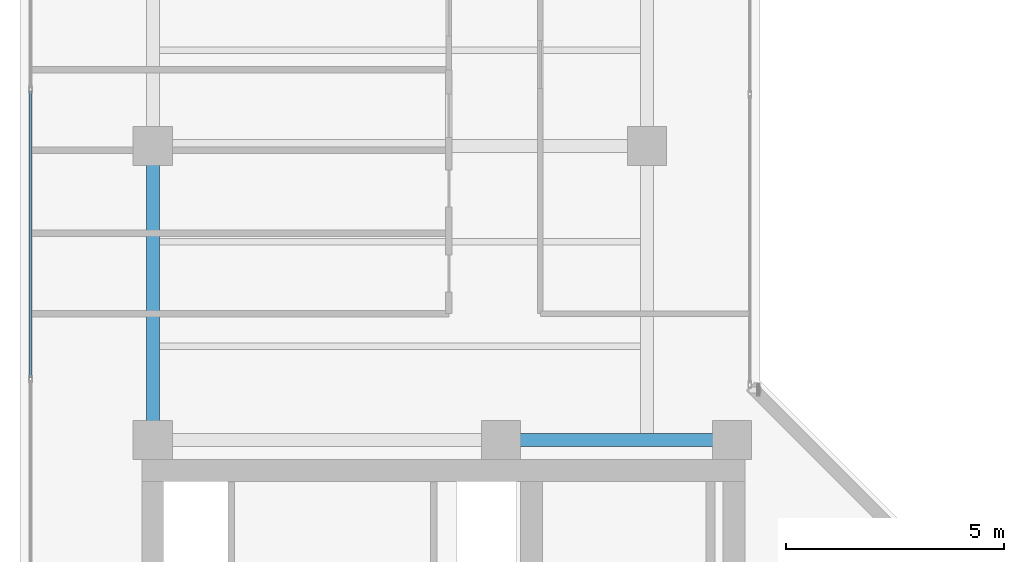
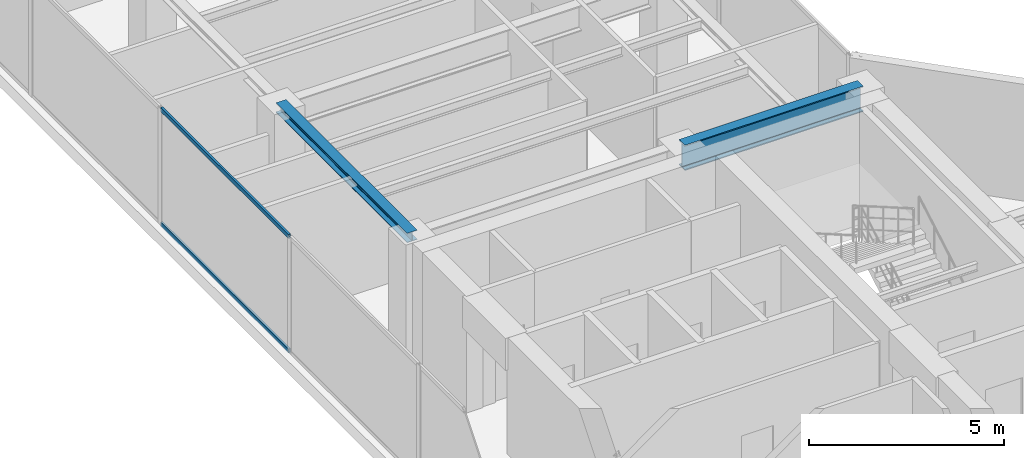
# One storey, part 10 of 31: 2 beams, 2 members, 1 element without a shape of its own.
"""IFC4 building model written with IfcOpenShell, lengths in metres."""

from ifc_helpers import new_model, si_unit, direction, frame, origin, origin_with_axes, origin_2d, place, context, subcontext, project, spatial, hollow_rectangle, i_section, extrude, source, transform, mapped, material, layer, layer_set, material_profile, profile_set, type_object, element, aggregate, save


model = new_model("IFC4")

# Units and contexts
model_context = context("Model", 3, precision=1e-05, world=origin(), true_north=direction((0.0, 1.0)))
body_context = subcontext(model_context, "Body", "Model", "MODEL_VIEW")
ifc_project = project(units=[si_unit("LENGTHUNIT", "METRE"), si_unit("AREAUNIT", "SQUARE_METRE"), si_unit("VOLUMEUNIT", "CUBIC_METRE"), si_unit("PLANEANGLEUNIT", "RADIAN"), si_unit("MASSUNIT", "GRAM", prefix="KILO")], contexts=[model_context])

# Site, building, storey
site_placement = place(None, origin())
site = spatial("IfcSite", under=ifc_project, at=site_placement, CompositionType="ELEMENT")
building_placement = place(site_placement, origin())
building = spatial("IfcBuilding", under=site, at=building_placement, Name="Kolvaren Waterfront Exchange", CompositionType="ELEMENT")
storey_placement = place(building_placement, frame((0.0, 0.0, 344.199951171875)))
storey = spatial("IfcBuildingStorey", under=building, at=storey_placement, Name="L88", CompositionType="ELEMENT", Elevation=344.199951171875)

# Beams
ifc_material_1 = material(Name="Steel S355", Category="steel")
ifc_material_profile_1 = material_profile(ifc_material_1, i_section(OverallWidth=0.300048828125, OverallDepth=0.300048828125, WebThickness=0.010986328125, FlangeThickness=0.01904296875, FilletRadius=0.027099609375, at=origin_2d()), Name="HEB300")
ifc_profile_set_1 = profile_set([ifc_material_profile_1], Name="Steel S355")
beam_type_1 = type_object("IfcBeamType", Name="STR-BM-HEB300", PredefinedType="SPANDREL", material=ifc_profile_set_1)
beam_1_placement = place(storey_placement, frame((7.449951171875, 24.449951171875, 3.510009765625), z_axis=(0.0, 1.0, 0.0), x_axis=(-1.0, 0.0, 0.0)))
element("IfcBeam", 1, at=beam_1_placement, inside=storey, type_object=beam_type_1, Name="L88 north-arm edge beam 1", PredefinedType="SPANDREL", context=body_context, shape_type="SweptSolid", body=[
    extrude(i_section(OverallWidth=0.300048828125, OverallDepth=0.300048828125, WebThickness=0.010986328125, FlangeThickness=0.01904296875, FilletRadius=0.027099609375, at=origin_2d()), origin(), (0.0, 0.0, 1.0), 6.75),
])
ifc_material_profile_2 = material_profile(ifc_material_1, i_section(OverallWidth=0.300048828125, OverallDepth=0.800048828125, WebThickness=0.017578125, FlangeThickness=0.032958984375, FilletRadius=0.030029296875, at=origin_2d()), Name="HEB800")
ifc_profile_set_2 = profile_set([ifc_material_profile_2], Name="Steel S355")
beam_type_2 = type_object("IfcBeamType", Name="STR-BM-HEB800", PredefinedType="BEAM", material=ifc_profile_set_2)
beam_2_placement = place(storey_placement, frame((15.449951171875, 24.449951171875, 3.260009765625), z_axis=(1.0, 0.0, 0.0), x_axis=(0.0, 1.0, 0.0)))
element("IfcBeam", 2, at=beam_2_placement, inside=storey, type_object=beam_type_2, Name="L88 north-arm girder 1B", PredefinedType="BEAM", context=body_context, shape_type="SweptSolid", body=[
    extrude(i_section(OverallWidth=0.300048828125, OverallDepth=0.800048828125, WebThickness=0.017578125, FlangeThickness=0.032958984375, FilletRadius=0.030029296875, at=origin_2d()), origin(), (0.0, 0.0, 1.0), 5.300048828125),
])

# Curtain wall, members
ifc_material_2 = material(Name="Anodised bronze aluminium 6063-T6", Category="aluminium")
ifc_layer = layer(ifc_material_2, 0.219970703125, Name="Anodised bronze aluminium 6063-T6")
ifc_layer_set = layer_set([ifc_layer], Name="Anodised bronze aluminium 6063-T6")
curtain_wall_type = type_object("IfcCurtainWallType", Name="ARC-CW-SYS5", PredefinedType="USERDEFINED", material=ifc_layer_set)
curtain_wall_placement = place(storey_placement, origin())
curtain_wall = element("IfcCurtainWall", 3, at=curtain_wall_placement, inside=storey, type_object=curtain_wall_type, Name="L88 stick curtain wall CW5 (CW-L88-W)", ObjectType="STICK CURTAIN WALL", PredefinedType="USERDEFINED")
ifc_material_profile_3 = material_profile(ifc_material_2, hollow_rectangle(XDim=0.06494140625, YDim=0.1298828125, WallThickness=0.00390625, at=origin_2d()), Name="ALU-TRN-130x65x4")
ifc_profile_set_3 = profile_set([ifc_material_profile_3], Name="Anodised bronze aluminium 6063-T6")
member_type = type_object("IfcMemberType", Name="ARC-CWT-130", PredefinedType="USERDEFINED", material=ifc_profile_set_3)
shared_shape = source(origin_with_axes(), body_context, "Body", "SweptSolid", [
    extrude(hollow_rectangle(XDim=0.06494140625, YDim=0.1298828125, WallThickness=0.00390625, at=origin_2d()), origin(), (0.0, 0.0, 1.0), 6.574951171875),
])
member_1_placement = place(storey_placement, frame((4.639892578125, 25.887451171875, 0.032470703125), z_axis=(0.0, 1.0, 0.0), x_axis=(-1.0, 0.0, 0.0)))
member_1 = element("IfcMember", 4, at=member_1_placement, type_object=member_type, Name="CW5 transom 4.1", ObjectType="TRANSOM", PredefinedType="USERDEFINED", context=body_context, shape_type="MappedRepresentation", body=[
    mapped(shared_shape, transform((0.0, 0.0, 0.0), x_axis=(1.0, 0.0, 0.0), y_axis=(0.0, 1.0, 0.0), z_axis=(0.0, 0.0, 1.0), scale=1.0)),
])
member_2_placement = place(storey_placement, frame((4.639892578125, 25.887451171875, 3.62744140625), z_axis=(0.0, 1.0, 0.0), x_axis=(-1.0, 0.0, 0.0)))
member_2 = element("IfcMember", 5, at=member_2_placement, type_object=member_type, Name="CW5 transom 4.2", ObjectType="TRANSOM", PredefinedType="USERDEFINED", context=body_context, shape_type="MappedRepresentation", body=[
    mapped(shared_shape, transform((0.0, 0.0, 0.0), x_axis=(1.0, 0.0, 0.0), y_axis=(0.0, 1.0, 0.0), z_axis=(0.0, 0.0, 1.0), scale=1.0)),
])
aggregate(curtain_wall, [member_1, member_2])

save(model, "model.ifc")
